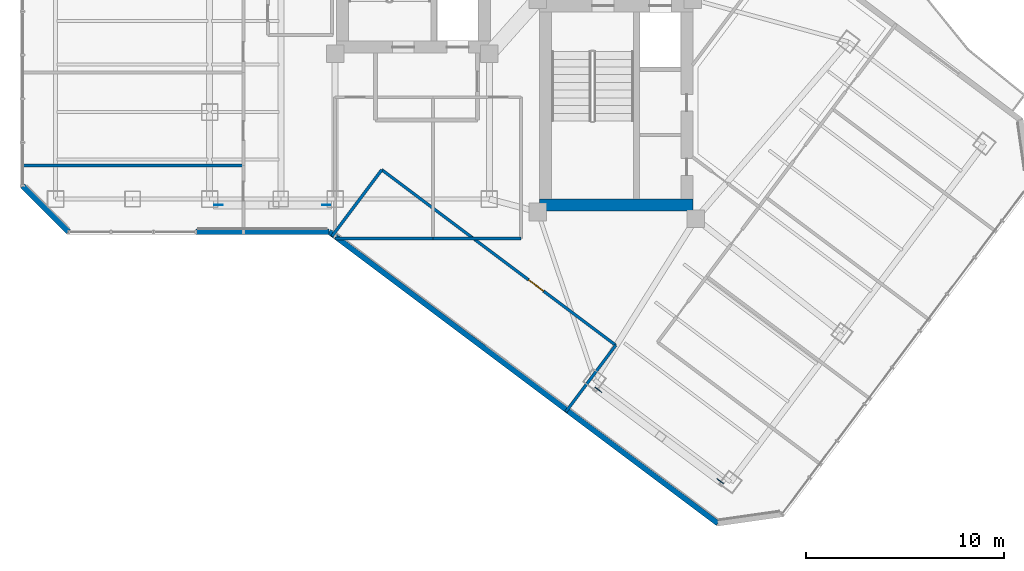
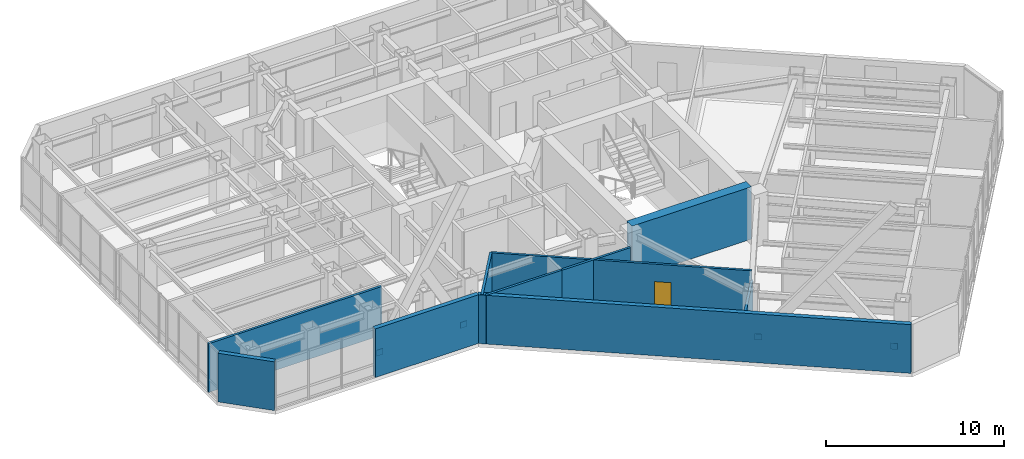
# One storey, part 21 of 27: 10 walls, 4 plates, 1 door, 1 opening.
"""IFC4 building model written with IfcOpenShell, lengths in metres."""

from ifc_helpers import new_model, si_unit, direction, frame, frame_2d, origin, origin_2d, place, context, subcontext, project, spatial, rectangle, extrude, material, layer, layer_set, type_object, element, fill, save


model = new_model("IFC4")

# Units and contexts
model_context = context("Model", 3, precision=1e-05, world=origin(), true_north=direction((0.0, 1.0)))
body_context = subcontext(model_context, "Body", "Model", "MODEL_VIEW")
ifc_project = project(units=[si_unit("LENGTHUNIT", "METRE"), si_unit("AREAUNIT", "SQUARE_METRE"), si_unit("VOLUMEUNIT", "CUBIC_METRE"), si_unit("PLANEANGLEUNIT", "RADIAN"), si_unit("MASSUNIT", "GRAM", prefix="KILO")], contexts=[model_context])

# Site, building, storey
site_placement = place(None, origin())
site = spatial("IfcSite", under=ifc_project, at=site_placement, CompositionType="ELEMENT")
building_placement = place(site_placement, origin())
building = spatial("IfcBuilding", under=site, at=building_placement, Name="Hatsunagi Terrace Concourse", CompositionType="ELEMENT")
storey_placement = place(building_placement, frame((0.0, 0.0, 145.64990234375)))
storey = spatial("IfcBuildingStorey", under=building, at=storey_placement, Name="L38", CompositionType="ELEMENT", Elevation=145.64990234375)

# Plates
ifc_material_1 = material(Name="Steel SN490C", Category="steel")
ifc_layer_1 = layer(ifc_material_1, 0.031982421875)
ifc_layer_set_1 = layer_set([ifc_layer_1], Name="XBraceNodeCapPlate_32")
plate_type = type_object("IfcPlateType", Name="XBraceNodeCapPlate_32", PredefinedType="USERDEFINED", material=ifc_layer_set_1)
for number, where, z_axis, x_axis, name in (
    (1, (19.64990234375, 24.89990234375, 0.230224609375), (0.0, 0.0, 1.0), (1.0, 0.0, 0.0), "Cast-In Core and Node Embed Plate GP-02 EP-XB-L38-W1-AB"),
    (2, (25.10009765625, 24.89990234375, 0.230224609375), (0.0, 0.0, 1.0), (1.0, 0.0, 0.0), "Cast-In Core and Node Embed Plate GP-02 EP-XB-L38-W1-BB"),
    (3, (38.8720703125, 15.5458984375, 0.230224609375), (0.0, 0.0, 1.0), (0.799999996291, -0.600000004945, 0.0), "Cast-In Core and Node Embed Plate GP-02 EP-XB-L38-SE-AB"),
    (4, (45.031982421875, 10.926025390625, 0.230224609375), (0.0, 0.0, 1.0), (0.799999996291, -0.600000004945, 0.0), "Cast-In Core and Node Embed Plate GP-02 EP-XB-L38-SE-BB"),
):
    element("IfcPlate", number, at=place(storey_placement, frame(where, z_axis=z_axis, x_axis=x_axis)), inside=storey, type_object=plate_type, Name=name, ObjectType="GUSSET_PLATE", PredefinedType="USERDEFINED", context=body_context, shape_type="SweptSolid", body=[
        extrude(rectangle(XDim=0.419921875, YDim=0.031982421875, at=origin_2d()), origin(), (0.0, 0.0, 1.0), 0.419921875),
    ])

# Walls
ifc_material_2 = material(Name="Concrete Fc48", Category="concrete")
ifc_layer_2 = layer(ifc_material_2, 0.60009765625)
ifc_layer_set_2 = layer_set([ifc_layer_2], Name="CoreShearWall_Fc48_600")
wall_type_1 = type_object("IfcWallType", Name="CoreShearWall_Fc48_600", PredefinedType="SHEAR", material=ifc_layer_set_2)
wall_1_placement = place(storey_placement, frame((35.889892578125, 24.889892578125, 0.0), z_axis=(0.0, 0.0, 1.0), x_axis=(1.0, 0.0, 0.0)))
element("IfcWall", 5, at=wall_1_placement, inside=storey, type_object=wall_type_1, Name="Core B Shear Wall S L38", PredefinedType="SHEAR", context=body_context, shape_type="SweptSolid", body=[
    extrude(rectangle(XDim=7.760009765625, YDim=0.60009765625, at=frame_2d((3.8798828125, 0.0))), origin(), (0.0, 0.0, 1.0), 3.60009765625),
])
ifc_material_3 = material(Name="Acoustic mineral board", Category="gypsum")
ifc_layer_3 = layer(ifc_material_3, 0.14990234375)
ifc_layer_set_3 = layer_set([ifc_layer_3], Name="PartitionWall_EI60_150")
wall_type_2 = type_object("IfcWallType", Name="PartitionWall_EI60_150", PredefinedType="PARTITIONING", material=ifc_layer_set_3)
wall_2_placement = place(storey_placement, frame((25.550048828125, 23.199951171875, 0.0), z_axis=(0.0, 0.0, 1.0), x_axis=(1.0, 0.0, 0.0)))
element("IfcWall", 6, at=wall_2_placement, inside=storey, type_object=wall_type_2, Name="Interior Partition IW-L38-025", PredefinedType="PARTITIONING", context=body_context, shape_type="SweptSolid", body=[
    extrude(rectangle(XDim=4.949951171875, YDim=0.14990234375, at=frame_2d((2.47509765625, 0.0))), origin(), (0.0, 0.0, 1.0), 3.35009765625),
])
wall_3_placement = place(storey_placement, frame((30.5, 23.199951171875, 0.0), z_axis=(0.0, 0.0, 1.0), x_axis=(1.0, 0.0, 0.0)))
element("IfcWall", 7, at=wall_3_placement, inside=storey, type_object=wall_type_2, Name="Interior Partition IW-L38-029", PredefinedType="PARTITIONING", context=body_context, shape_type="SweptSolid", body=[
    extrude(rectangle(XDim=4.449951171875, YDim=0.14990234375, at=frame_2d((2.22509765625, 0.0))), origin(), (0.0, 0.0, 1.0), 3.35009765625),
])
wall_4_placement = place(storey_placement, frame((9.639892578125, 26.89990234375, 0.0), z_axis=(0.0, 0.0, 1.0), x_axis=(1.0, 0.0, 0.0)))
element("IfcWall", 8, at=wall_4_placement, inside=storey, type_object=wall_type_2, Name="Interior Partition IW-L38-032", PredefinedType="PARTITIONING", context=body_context, shape_type="SweptSolid", body=[
    extrude(rectangle(XDim=11.260009765625, YDim=0.14990234375, at=frame_2d((5.6298828125, 0.0))), origin(), (0.0, 0.0, 1.0), 3.35009765625),
])

# Wall, opening, door
wall_5_placement = place(storey_placement, frame((27.909912109375, 26.679931640625, 0.0), z_axis=(0.0, 0.0, 1.0), x_axis=(0.800005938517, -0.599992081896, 0.0)))
wall_5 = element("IfcWall", 9, at=wall_5_placement, inside=storey, type_object=wall_type_2, Name="Interior Partition IW-L38-059", PredefinedType="PARTITIONING", context=body_context, shape_type="SweptSolid", body=[
    extrude(rectangle(XDim=14.800048828125, YDim=0.14990234375, at=frame_2d((7.39990234375, 0.0))), origin(), (0.0, 0.0, 1.0), 3.35009765625),
])
opening_placement = place(wall_5_placement, frame((9.281005859375, 0.0, 0.0)))
opening = element("IfcOpeningElement", 10, at=opening_placement, cuts=wall_5, Name="Opening DR-095", PredefinedType="OPENING", context=body_context, shape_type="SweptSolid", body=[
    extrude(rectangle(XDim=0.949951171875, YDim=2.14990234375, at=frame_2d((0.47509765625, 1.074951171875))), frame((0.0, 0.0849609375, 0.0), z_axis=(0.0, -1.0, 0.0), x_axis=(1.0, 0.0, 0.0)), (0.0, 0.0, 1.0), 0.169921875),
])
ifc_material_4 = material(Name="Hardwood timber", Category="wood")
door_type = type_object("IfcDoorType", Name="InteriorSuiteDoor_EI30_950", OperationType="NOTDEFINED", PredefinedType="DOOR", material=ifc_material_4)
door_placement = place(opening_placement, origin())
door = element("IfcDoor", 11, at=door_placement, inside=storey, type_object=door_type, Name="Research Focus Suite L38-OSWS Door", OperationType="SINGLE_SWING_RIGHT", OverallHeight=2.14990234375, OverallWidth=0.949951171875, PredefinedType="DOOR", context=body_context, shape_type="SweptSolid", body=[
    extrude(rectangle(XDim=0.949951171875, YDim=2.14990234375, at=frame_2d((0.47509765625, 1.074951171875))), frame((0.0, 0.02490234375, 0.0), z_axis=(0.0, -1.0, 0.0), x_axis=(1.0, 0.0, 0.0)), (0.0, 0.0, 1.0), 0.050048828125),
])
fill(opening, door)

# Walls
wall_6_placement = place(storey_placement, frame((25.384033203125, 23.31201171875, 0.0), z_axis=(0.0, 0.0, 1.0), x_axis=(0.599990721155, 0.80000695905, 0.0)))
element("IfcWall", 12, at=wall_6_placement, inside=storey, type_object=wall_type_2, Name="Interior Partition IW-L38-060", PredefinedType="PARTITIONING", context=body_context, shape_type="SweptSolid", body=[
    extrude(rectangle(XDim=4.2099609375, YDim=0.14990234375, at=frame_2d((2.10498046875, 0.0))), origin(), (0.0, 0.0, 1.0), 3.35009765625),
])
wall_7_placement = place(storey_placement, frame((37.22412109375, 14.431884765625, 0.0), z_axis=(0.0, 0.0, 1.0), x_axis=(0.599962885857, 0.800027834262, 0.0)))
element("IfcWall", 13, at=wall_7_placement, inside=storey, type_object=wall_type_2, Name="Interior Partition IW-L38-061", PredefinedType="PARTITIONING", context=body_context, shape_type="SweptSolid", body=[
    extrude(rectangle(XDim=4.2099609375, YDim=0.14990234375, at=frame_2d((2.10498046875, 0.0))), origin(), (0.0, 0.0, 1.0), 2.695068359375),
])
ifc_material_5 = material(Name="Autoclaved Lightweight Concrete and Terracotta Cladding", Category="masonry")
ifc_layer_4 = layer(ifc_material_5, 0.280029296875)
ifc_layer_set_4 = layer_set([ifc_layer_4], Name="TerracottaSpandrelWall_280")
wall_type_3 = type_object("IfcWallType", Name="TerracottaSpandrelWall_280", PredefinedType="STANDARD", material=ifc_layer_set_4)
wall_8_placement = place(storey_placement, frame((44.91796875, 8.787109375, 0.0), z_axis=(0.0, 0.0, 1.0), x_axis=(-0.800004765927, 0.599993645378, 0.0)))
element("IfcWall", 14, at=wall_8_placement, inside=storey, type_object=wall_type_3, Name="Exterior Spandrel Wall EW-L38-05", PredefinedType="STANDARD", context=body_context, shape_type="SweptSolid", body=[
    extrude(rectangle(XDim=24.58837890625, YDim=0.280029296875, at=frame_2d((12.294189453125, 0.0))), origin(), (0.0, 0.0, 1.0), 3.35009765625),
])
wall_9_placement = place(storey_placement, frame((25.2470703125, 23.5400390625, 0.0), z_axis=(0.0, 0.0, 1.0), x_axis=(-1.0, 0.0, 0.0)))
element("IfcWall", 15, at=wall_9_placement, inside=storey, type_object=wall_type_3, Name="Exterior Spandrel Wall EW-L38-06", PredefinedType="STANDARD", context=body_context, shape_type="SweptSolid", body=[
    extrude(rectangle(XDim=6.7470703125, YDim=0.280029296875, at=frame_2d((3.37353515625, 0.0))), origin(), (0.0, 0.0, 1.0), 3.35009765625),
])
wall_10_placement = place(storey_placement, frame((12.05810546875, 23.5400390625, 0.0), z_axis=(0.0, 0.0, 1.0), x_axis=(-0.707144017911, 0.707069542501, 0.0)))
element("IfcWall", 16, at=wall_10_placement, inside=storey, type_object=wall_type_3, Name="Exterior Spandrel Wall EW-L38-08", PredefinedType="STANDARD", context=body_context, shape_type="SweptSolid", body=[
    extrude(rectangle(XDim=3.278076171875, YDim=0.280029296875, at=frame_2d((1.63916015625, 0.0))), origin(), (0.0, 0.0, 1.0), 3.35009765625),
])

save(model, "model.ifc")
